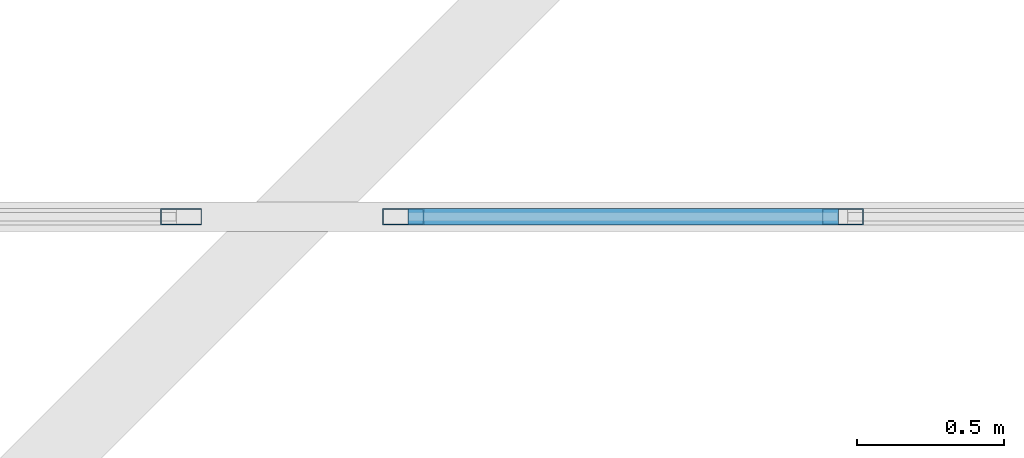
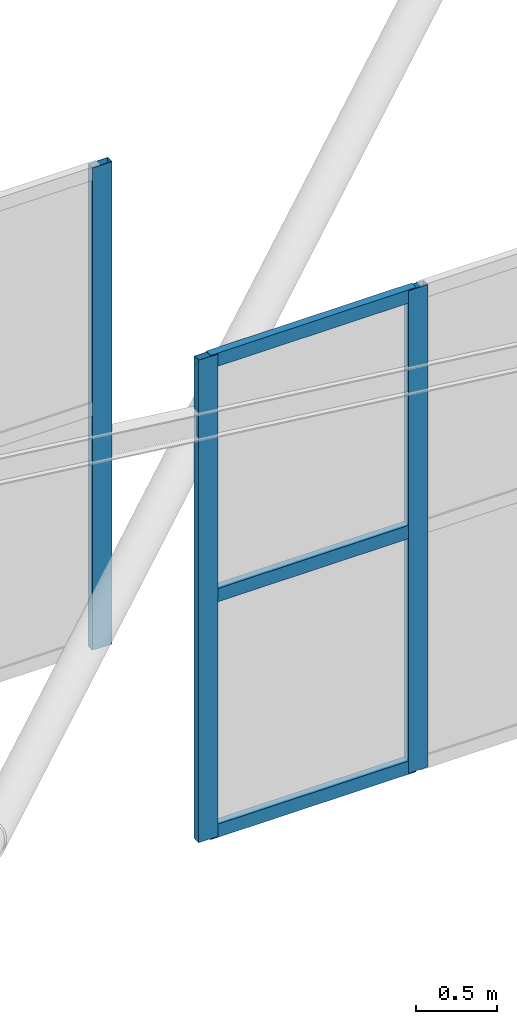
# One storey, part 104 of 397: 6 members, 2 elements without a shape of their own.
"""IFC4 building model written with IfcOpenShell, lengths in metres."""

from ifc_helpers import new_model, si_unit, direction, frame, origin, origin_2d, place, context, subcontext, project, spatial, hollow_rectangle, extrude, material, material_profile, profile_set, type_object, element, aggregate, save


model = new_model("IFC4")

# Units and contexts
model_context = context("Model", 3, precision=1e-05, world=origin(), true_north=direction((0.0, 1.0)))
body_context = subcontext(model_context, "Body", "Model", "MODEL_VIEW")
ifc_project = project(units=[si_unit("LENGTHUNIT", "METRE"), si_unit("AREAUNIT", "SQUARE_METRE"), si_unit("VOLUMEUNIT", "CUBIC_METRE"), si_unit("PLANEANGLEUNIT", "RADIAN"), si_unit("MASSUNIT", "GRAM", prefix="KILO")], contexts=[model_context])

# Site, building, storey
site_placement = place(None, origin())
site = spatial("IfcSite", under=ifc_project, at=site_placement, CompositionType="ELEMENT")
building_placement = place(site_placement, origin())
building = spatial("IfcBuilding", under=site, at=building_placement, Name="Qandorah Velis Arena", CompositionType="ELEMENT")
storey_placement = place(building_placement, frame((0.0, 0.0, 27.5)))
storey = spatial("IfcBuildingStorey", under=building, at=storey_placement, Name="RF", CompositionType="ELEMENT", Elevation=27.5)

# Curtain wall, member
ifc_material_1 = material(Name="Solar-control low-E double glazing", Category="glass")
curtain_wall_type_1 = type_object("IfcCurtainWallType", Name="ARC-CW-SYS23", PredefinedType="USERDEFINED", material=ifc_material_1)
curtain_wall_1_placement = place(storey_placement, origin())
curtain_wall_1 = element("IfcCurtainWall", 1, at=curtain_wall_1_placement, inside=storey, type_object=curtain_wall_type_1, Name="Unitised curtain wall MON-3-5", ObjectType="UNITISED CURTAIN WALL", PredefinedType="USERDEFINED")
ifc_material_2 = material(Name="Champagne-bronze anodized aluminium 6063-T6", Category="aluminium")
ifc_material_profile_1 = material_profile(ifc_material_2, hollow_rectangle(XDim=0.054931640625, YDim=0.139892578125, WallThickness=0.0029296875, at=origin_2d()), Name="ALU MULLION 55x140")
ifc_profile_set_1 = profile_set([ifc_material_profile_1], Name="Champagne-bronze anodized aluminium 6063-T6")
member_type_1 = type_object("IfcMemberType", Name="ARC-CWM-140", PredefinedType="MULLION", material=ifc_profile_set_1)
member_1_placement = place(storey_placement, frame((93.222412109375, 21.60009765625, 5.337646484375), z_axis=(0.0, 0.0, 1.0), x_axis=(0.0, 1.0, 0.0)))
member_1 = element("IfcMember", 2, at=member_1_placement, type_object=member_type_1, Name="CW23 mullion 10", PredefinedType="MULLION", context=body_context, shape_type="SweptSolid", body=[
    extrude(hollow_rectangle(XDim=0.054931640625, YDim=0.139892578125, WallThickness=0.0029296875, at=origin_2d()), origin(), (0.0, 0.0, 1.0), 3.630126953125),
])
aggregate(curtain_wall_1, [member_1])

# Curtain wall, members
curtain_wall_type_2 = type_object("IfcCurtainWallType", Name="ARC-CW-SYS24", PredefinedType="USERDEFINED", material=ifc_material_1)
curtain_wall_2_placement = place(storey_placement, origin())
curtain_wall_2 = element("IfcCurtainWall", 3, at=curtain_wall_2_placement, inside=storey, type_object=curtain_wall_type_2, Name="Unitised curtain wall MON-3-6", ObjectType="UNITISED CURTAIN WALL", PredefinedType="USERDEFINED")
member_2_placement = place(storey_placement, frame((93.9775390625, 21.60009765625, 3.625732421875), z_axis=(0.0, 0.0, 1.0), x_axis=(0.0, 1.0, 0.0)))
member_2 = element("IfcMember", 4, at=member_2_placement, type_object=member_type_1, Name="CW24 mullion 1", PredefinedType="MULLION", context=body_context, shape_type="SweptSolid", body=[
    extrude(hollow_rectangle(XDim=0.054931640625, YDim=0.139892578125, WallThickness=0.0029296875, at=origin_2d()), origin(), (0.0, 0.0, 1.0), 3.630126953125),
])
member_3_placement = place(storey_placement, frame((95.47216796875, 21.60009765625, 3.625732421875), z_axis=(0.0, 0.0, 1.0), x_axis=(0.0, 1.0, 0.0)))
member_3 = element("IfcMember", 5, at=member_3_placement, type_object=member_type_1, Name="CW24 mullion 2", PredefinedType="MULLION", context=body_context, shape_type="SweptSolid", body=[
    extrude(hollow_rectangle(XDim=0.054931640625, YDim=0.139892578125, WallThickness=0.0029296875, at=origin_2d()), origin(), (0.0, 0.0, 1.0), 3.630126953125),
])
ifc_material_profile_2 = material_profile(ifc_material_2, hollow_rectangle(XDim=0.054931640625, YDim=0.10009765625, WallThickness=0.0029296875, at=origin_2d()), Name="ALU TRANSOM 55x100")
ifc_profile_set_2 = profile_set([ifc_material_profile_2], Name="Champagne-bronze anodized aluminium 6063-T6")
member_type_2 = type_object("IfcMemberType", Name="ARC-CWT-100", PredefinedType="USERDEFINED", material=ifc_profile_set_2)
member_4_placement = place(storey_placement, frame((93.992919921875, 21.60009765625, 3.668212890625), z_axis=(1.0, 0.0, 0.0), x_axis=(0.0, 1.0, 0.0)))
member_4 = element("IfcMember", 6, at=member_4_placement, type_object=member_type_2, Name="CW24 transom 1.1", ObjectType="TRANSOM", PredefinedType="USERDEFINED", context=body_context, shape_type="SweptSolid", body=[
    extrude(hollow_rectangle(XDim=0.054931640625, YDim=0.10009765625, WallThickness=0.0029296875, at=origin_2d()), origin(), (0.0, 0.0, 1.0), 1.4638671875),
])
member_5_placement = place(storey_placement, frame((93.992919921875, 21.60009765625, 5.44091796875), z_axis=(1.0, 0.0, 0.0), x_axis=(0.0, 1.0, 0.0)))
member_5 = element("IfcMember", 7, at=member_5_placement, type_object=member_type_2, Name="CW24 transom 1.2", ObjectType="TRANSOM", PredefinedType="USERDEFINED", context=body_context, shape_type="SweptSolid", body=[
    extrude(hollow_rectangle(XDim=0.054931640625, YDim=0.10009765625, WallThickness=0.0029296875, at=origin_2d()), origin(), (0.0, 0.0, 1.0), 1.4638671875),
])
member_6_placement = place(storey_placement, frame((93.992919921875, 21.60009765625, 7.21337890625), z_axis=(1.0, 0.0, 0.0), x_axis=(0.0, 1.0, 0.0)))
member_6 = element("IfcMember", 8, at=member_6_placement, type_object=member_type_2, Name="CW24 transom 1.3", ObjectType="TRANSOM", PredefinedType="USERDEFINED", context=body_context, shape_type="SweptSolid", body=[
    extrude(hollow_rectangle(XDim=0.054931640625, YDim=0.10009765625, WallThickness=0.0029296875, at=origin_2d()), origin(), (0.0, 0.0, 1.0), 1.4638671875),
])
aggregate(curtain_wall_2, [member_2, member_3, member_4, member_5, member_6])

save(model, "model.ifc")
